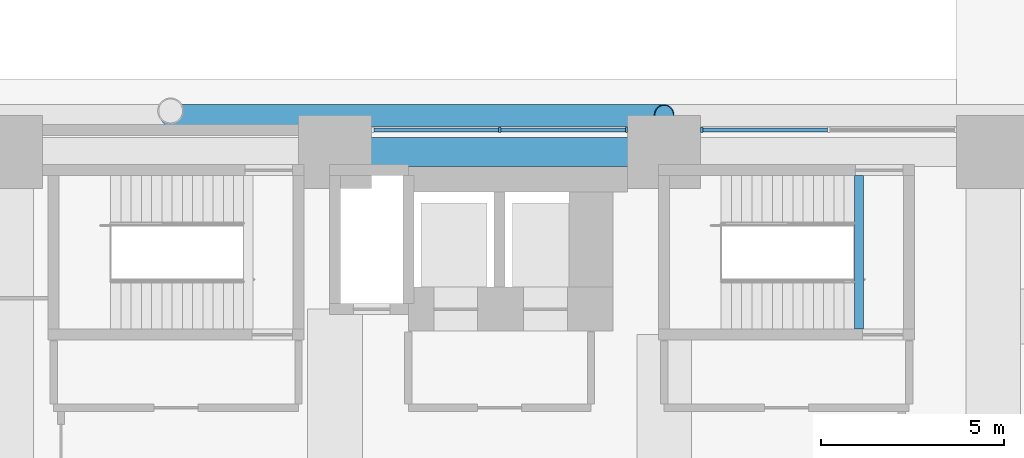
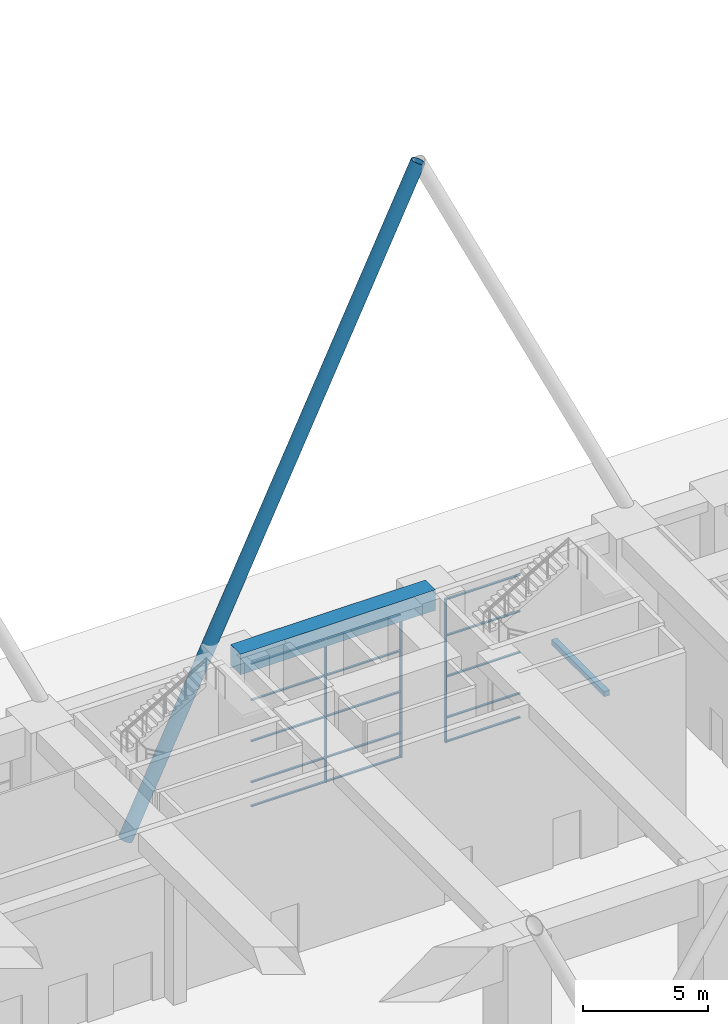
# One storey, part 20 of 44: 19 members, 2 beams, 2 elements without a shape of their own.
"""IFC4 building model written with IfcOpenShell, lengths in metres."""

from ifc_helpers import new_model, si_unit, direction, frame, origin, origin_2d, place, context, subcontext, project, spatial, rectangle, hollow_circle, extrude, material, material_profile, profile_set, type_object, element, aggregate, save


model = new_model("IFC4")

# Units and contexts
model_context = context("Model", 3, precision=1e-05, world=origin(), true_north=direction((0.0, 1.0)))
body_context = subcontext(model_context, "Body", "Model", "MODEL_VIEW")
ifc_project = project(units=[si_unit("LENGTHUNIT", "METRE"), si_unit("AREAUNIT", "SQUARE_METRE"), si_unit("VOLUMEUNIT", "CUBIC_METRE"), si_unit("PLANEANGLEUNIT", "RADIAN"), si_unit("MASSUNIT", "GRAM", prefix="KILO")], contexts=[model_context])

# Site, building, storey
site_placement = place(None, origin())
site = spatial("IfcSite", under=ifc_project, at=site_placement, CompositionType="ELEMENT")
building_placement = place(site_placement, origin())
building = spatial("IfcBuilding", under=site, at=building_placement, Name="Firuza Court", CompositionType="ELEMENT")
storey_placement = place(building_placement, origin())
storey = spatial("IfcBuildingStorey", under=building, at=storey_placement, Name="L00", CompositionType="ELEMENT", Elevation=0.0)

# Member
ifc_material_1 = material(Name="Steel S355", Category="steel")
ifc_material_profile_1 = material_profile(ifc_material_1, hollow_circle(Radius=0.304931640625, WallThickness=0.02490234375, at=origin_2d()), Name="CHS 610x25")
ifc_profile_set_1 = profile_set([ifc_material_profile_1], Name="Steel S355")
member_type_1 = type_object("IfcMemberType", Name="Diagrid diagonal CHS 610x25 S355", PredefinedType="USERDEFINED", material=ifc_profile_set_1)
member_1_placement = place(storey_placement, frame((40.5, 59.4951171875, 0.130859375), z_axis=(0.430315969648, 0.0, 0.902678329343), x_axis=(0.0, 1.0, 0.0)))
element("IfcMember", 1, at=member_1_placement, inside=storey, type_object=member_type_1, Name="Diagrid diagonal L00 to L05", ObjectType="DIAGRID", PredefinedType="USERDEFINED", context=body_context, shape_type="SweptSolid", body=[
    extrude(hollow_circle(Radius=0.304931640625, WallThickness=0.02490234375, at=origin_2d()), origin(), (0.0, 0.0, 1.0), 31.372314453125),
])

# Beam
ifc_material_2 = material(Name="Concrete C40/50", Category="concrete")
ifc_material_profile_2 = material_profile(ifc_material_2, rectangle(XDim=0.25, YDim=0.25, at=origin_2d()), Name="RC 250x250")
ifc_profile_set_2 = profile_set([ifc_material_profile_2], Name="Concrete C40/50")
beam_type_1 = type_object("IfcBeamType", Name="Landing beam RC 250x250 C40/50", PredefinedType="BEAM", material=ifc_profile_set_2)
beam_1_placement = place(storey_placement, frame((59.324951171875, 53.64990234375, 4.175048828125), z_axis=(0.0, 1.0, 0.0), x_axis=(-1.0, 0.0, 0.0)))
element("IfcBeam", 2, at=beam_1_placement, inside=storey, type_object=beam_type_1, Name="Landing beam S4 L00", PredefinedType="BEAM", context=body_context, shape_type="SweptSolid", body=[
    extrude(rectangle(XDim=0.25, YDim=0.25, at=origin_2d()), origin(), (0.0, 0.0, 1.0), 4.2001953125),
])

# Curtain wall, member
ifc_material_3 = material(Name="Aluminium curtain wall, triple clear glazing", Category="aluminium")
curtain_wall_type = type_object("IfcCurtainWallType", Name="Ground lobby stick shopfront CW2", PredefinedType="NOTDEFINED", material=ifc_material_3)
curtain_wall_1_placement = place(storey_placement, origin())
curtain_wall_1 = element("IfcCurtainWall", 3, at=curtain_wall_1_placement, inside=storey, type_object=curtain_wall_type, Name="Ground lobby stick shopfront CW2 L00", PredefinedType="NOTDEFINED")
ifc_material_4 = material(Name="Aluminium EN AW-6060 T66", Category="aluminium")
ifc_material_profile_3 = material_profile(ifc_material_4, rectangle(XDim=0.14990234375, YDim=0.06005859375, at=origin_2d()), Name="Mullion 150 x 60 CW2")
ifc_profile_set_3 = profile_set([ifc_material_profile_3], Name="Aluminium EN AW-6060 T66")
member_type_2 = type_object("IfcMemberType", Name="Mullion 150 x 60 CW2", PredefinedType="MULLION", material=ifc_profile_set_3)
member_2_placement = place(storey_placement, frame((55.030029296875, 59.10009765625, 0.0), z_axis=(0.0, 0.0, 1.0), x_axis=(0.0, -1.0, 0.0)))
member_2 = element("IfcMember", 4, at=member_2_placement, type_object=member_type_2, Name="CW2 mullion 3", PredefinedType="MULLION", context=body_context, shape_type="SweptSolid", body=[
    extrude(rectangle(XDim=0.14990234375, YDim=0.06005859375, at=origin_2d()), origin(), (0.0, 0.0, 1.0), 7.0),
])

# Curtain wall, members
curtain_wall_2_placement = place(storey_placement, origin())
curtain_wall_2 = element("IfcCurtainWall", 5, at=curtain_wall_2_placement, inside=storey, type_object=curtain_wall_type, Name="Ground lobby stick shopfront CW2 L00", PredefinedType="NOTDEFINED")
member_3_placement = place(storey_placement, frame((52.969970703125, 59.10009765625, 0.0), z_axis=(0.0, 0.0, 1.0), x_axis=(0.0, -1.0, 0.0)))
member_3 = element("IfcMember", 6, at=member_3_placement, type_object=member_type_2, Name="CW2 mullion 1", PredefinedType="MULLION", context=body_context, shape_type="SweptSolid", body=[
    extrude(rectangle(XDim=0.14990234375, YDim=0.06005859375, at=origin_2d()), origin(), (0.0, 0.0, 1.0), 7.0),
])
member_4_placement = place(storey_placement, frame((49.5, 59.10009765625, 0.0), z_axis=(0.0, 0.0, 1.0), x_axis=(0.0, -1.0, 0.0)))
member_4 = element("IfcMember", 7, at=member_4_placement, type_object=member_type_2, Name="CW2 mullion 2", PredefinedType="MULLION", context=body_context, shape_type="SweptSolid", body=[
    extrude(rectangle(XDim=0.14990234375, YDim=0.06005859375, at=origin_2d()), origin(), (0.0, 0.0, 1.0), 7.0),
])

# Beam
ifc_material_5 = material(Name="Concrete C60/75", Category="concrete")
ifc_material_profile_4 = material_profile(ifc_material_5, rectangle(XDim=0.800048828125, YDim=1.0, at=origin_2d()), Name="RC 800x1000")
ifc_profile_set_4 = profile_set([ifc_material_profile_4], Name="Concrete C60/75")
beam_type_2 = type_object("IfcBeamType", Name="Transfer girder RC 800x1000 C60/75", PredefinedType="USERDEFINED", material=ifc_profile_set_4)
beam_2_placement = place(storey_placement, frame((54.0, 58.5, 7.89990234375), z_axis=(-1.0, 0.0, 0.0), x_axis=(0.0, -1.0, 0.0)))
element("IfcBeam", 8, at=beam_2_placement, inside=storey, type_object=beam_type_2, Name="Transfer girder TG2 level L01", ObjectType="TRANSFER GIRDER", PredefinedType="USERDEFINED", context=body_context, shape_type="SweptSolid", body=[
    extrude(rectangle(XDim=0.800048828125, YDim=1.0, at=origin_2d()), origin(), (0.0, 0.0, 1.0), 9.0),
])

# Member
ifc_material_6 = material(Name="Aluminium EN AW-6060 T66", Category="aluminium")
ifc_material_profile_5 = material_profile(ifc_material_6, rectangle(XDim=0.10009765625, YDim=0.06005859375, at=origin_2d()), Name="Transom 100 x 60 CW2")
ifc_profile_set_5 = profile_set([ifc_material_profile_5], Name="Aluminium EN AW-6060 T66")
member_type_3 = type_object("IfcMemberType", Name="Transom 100 x 60 CW2", PredefinedType="USERDEFINED", material=ifc_profile_set_5)
member_5_placement = place(storey_placement, frame((58.469970703125, 59.10009765625, 0.030029296875), z_axis=(-1.0, 0.0, 0.0), x_axis=(0.0, -1.0, 0.0)))
member_5 = element("IfcMember", 9, at=member_5_placement, type_object=member_type_3, Name="CW2 transom 2.1", ObjectType="TRANSOM", PredefinedType="USERDEFINED", context=body_context, shape_type="SweptSolid", body=[
    extrude(rectangle(XDim=0.10009765625, YDim=0.06005859375, at=origin_2d()), origin(), (0.0, 0.0, 1.0), 3.409912109375),
])

member_6_placement = place(storey_placement, frame((58.469970703125, 59.10009765625, 1.199951171875), z_axis=(-1.0, 0.0, 0.0), x_axis=(0.0, -1.0, 0.0)))
member_6 = element("IfcMember", 10, at=member_6_placement, type_object=member_type_3, Name="CW2 transom 2.2", ObjectType="TRANSOM", PredefinedType="USERDEFINED", context=body_context, shape_type="SweptSolid", body=[
    extrude(rectangle(XDim=0.10009765625, YDim=0.06005859375, at=origin_2d()), origin(), (0.0, 0.0, 1.0), 3.409912109375),
])

member_7_placement = place(storey_placement, frame((58.469970703125, 59.10009765625, 3.199951171875), z_axis=(-1.0, 0.0, 0.0), x_axis=(0.0, -1.0, 0.0)))
member_7 = element("IfcMember", 11, at=member_7_placement, type_object=member_type_3, Name="CW2 transom 2.3", ObjectType="TRANSOM", PredefinedType="USERDEFINED", context=body_context, shape_type="SweptSolid", body=[
    extrude(rectangle(XDim=0.10009765625, YDim=0.06005859375, at=origin_2d()), origin(), (0.0, 0.0, 1.0), 3.409912109375),
])

member_8_placement = place(storey_placement, frame((58.469970703125, 59.10009765625, 5.199951171875), z_axis=(-1.0, 0.0, 0.0), x_axis=(0.0, -1.0, 0.0)))
member_8 = element("IfcMember", 12, at=member_8_placement, type_object=member_type_3, Name="CW2 transom 2.4", ObjectType="TRANSOM", PredefinedType="USERDEFINED", context=body_context, shape_type="SweptSolid", body=[
    extrude(rectangle(XDim=0.10009765625, YDim=0.06005859375, at=origin_2d()), origin(), (0.0, 0.0, 1.0), 3.409912109375),
])

member_9_placement = place(storey_placement, frame((58.469970703125, 59.10009765625, 6.969970703125), z_axis=(-1.0, 0.0, 0.0), x_axis=(0.0, -1.0, 0.0)))
member_9 = element("IfcMember", 13, at=member_9_placement, type_object=member_type_3, Name="CW2 transom 2.5", ObjectType="TRANSOM", PredefinedType="USERDEFINED", context=body_context, shape_type="SweptSolid", body=[
    extrude(rectangle(XDim=0.10009765625, YDim=0.06005859375, at=origin_2d()), origin(), (0.0, 0.0, 1.0), 3.409912109375),
])

aggregate(curtain_wall_1, [member_2, member_5, member_6, member_7, member_8, member_9])

member_10_placement = place(storey_placement, frame((52.93994140625, 59.10009765625, 0.030029296875), z_axis=(-1.0, 0.0, 0.0), x_axis=(0.0, -1.0, 0.0)))
member_10 = element("IfcMember", 14, at=member_10_placement, type_object=member_type_3, Name="CW2 transom 1.1", ObjectType="TRANSOM", PredefinedType="USERDEFINED", context=body_context, shape_type="SweptSolid", body=[
    extrude(rectangle(XDim=0.10009765625, YDim=0.06005859375, at=origin_2d()), origin(), (0.0, 0.0, 1.0), 3.409912109375),
])

member_11_placement = place(storey_placement, frame((52.93994140625, 59.10009765625, 1.199951171875), z_axis=(-1.0, 0.0, 0.0), x_axis=(0.0, -1.0, 0.0)))
member_11 = element("IfcMember", 15, at=member_11_placement, type_object=member_type_3, Name="CW2 transom 1.2", ObjectType="TRANSOM", PredefinedType="USERDEFINED", context=body_context, shape_type="SweptSolid", body=[
    extrude(rectangle(XDim=0.10009765625, YDim=0.06005859375, at=origin_2d()), origin(), (0.0, 0.0, 1.0), 3.409912109375),
])

member_12_placement = place(storey_placement, frame((52.93994140625, 59.10009765625, 3.199951171875), z_axis=(-1.0, 0.0, 0.0), x_axis=(0.0, -1.0, 0.0)))
member_12 = element("IfcMember", 16, at=member_12_placement, type_object=member_type_3, Name="CW2 transom 1.3", ObjectType="TRANSOM", PredefinedType="USERDEFINED", context=body_context, shape_type="SweptSolid", body=[
    extrude(rectangle(XDim=0.10009765625, YDim=0.06005859375, at=origin_2d()), origin(), (0.0, 0.0, 1.0), 3.409912109375),
])

member_13_placement = place(storey_placement, frame((52.93994140625, 59.10009765625, 5.199951171875), z_axis=(-1.0, 0.0, 0.0), x_axis=(0.0, -1.0, 0.0)))
member_13 = element("IfcMember", 17, at=member_13_placement, type_object=member_type_3, Name="CW2 transom 1.4", ObjectType="TRANSOM", PredefinedType="USERDEFINED", context=body_context, shape_type="SweptSolid", body=[
    extrude(rectangle(XDim=0.10009765625, YDim=0.06005859375, at=origin_2d()), origin(), (0.0, 0.0, 1.0), 3.409912109375),
])

member_14_placement = place(storey_placement, frame((52.93994140625, 59.10009765625, 6.969970703125), z_axis=(-1.0, 0.0, 0.0), x_axis=(0.0, -1.0, 0.0)))
member_14 = element("IfcMember", 18, at=member_14_placement, type_object=member_type_3, Name="CW2 transom 1.5", ObjectType="TRANSOM", PredefinedType="USERDEFINED", context=body_context, shape_type="SweptSolid", body=[
    extrude(rectangle(XDim=0.10009765625, YDim=0.06005859375, at=origin_2d()), origin(), (0.0, 0.0, 1.0), 3.409912109375),
])

member_15_placement = place(storey_placement, frame((49.469970703125, 59.10009765625, 0.030029296875), z_axis=(-1.0, 0.0, 0.0), x_axis=(0.0, -1.0, 0.0)))
member_15 = element("IfcMember", 19, at=member_15_placement, type_object=member_type_3, Name="CW2 transom 2.1", ObjectType="TRANSOM", PredefinedType="USERDEFINED", context=body_context, shape_type="SweptSolid", body=[
    extrude(rectangle(XDim=0.10009765625, YDim=0.06005859375, at=origin_2d()), origin(), (0.0, 0.0, 1.0), 3.409912109375),
])

member_16_placement = place(storey_placement, frame((49.469970703125, 59.10009765625, 1.199951171875), z_axis=(-1.0, 0.0, 0.0), x_axis=(0.0, -1.0, 0.0)))
member_16 = element("IfcMember", 20, at=member_16_placement, type_object=member_type_3, Name="CW2 transom 2.2", ObjectType="TRANSOM", PredefinedType="USERDEFINED", context=body_context, shape_type="SweptSolid", body=[
    extrude(rectangle(XDim=0.10009765625, YDim=0.06005859375, at=origin_2d()), origin(), (0.0, 0.0, 1.0), 3.409912109375),
])

member_17_placement = place(storey_placement, frame((49.469970703125, 59.10009765625, 3.199951171875), z_axis=(-1.0, 0.0, 0.0), x_axis=(0.0, -1.0, 0.0)))
member_17 = element("IfcMember", 21, at=member_17_placement, type_object=member_type_3, Name="CW2 transom 2.3", ObjectType="TRANSOM", PredefinedType="USERDEFINED", context=body_context, shape_type="SweptSolid", body=[
    extrude(rectangle(XDim=0.10009765625, YDim=0.06005859375, at=origin_2d()), origin(), (0.0, 0.0, 1.0), 3.409912109375),
])

member_18_placement = place(storey_placement, frame((49.469970703125, 59.10009765625, 5.199951171875), z_axis=(-1.0, 0.0, 0.0), x_axis=(0.0, -1.0, 0.0)))
member_18 = element("IfcMember", 22, at=member_18_placement, type_object=member_type_3, Name="CW2 transom 2.4", ObjectType="TRANSOM", PredefinedType="USERDEFINED", context=body_context, shape_type="SweptSolid", body=[
    extrude(rectangle(XDim=0.10009765625, YDim=0.06005859375, at=origin_2d()), origin(), (0.0, 0.0, 1.0), 3.409912109375),
])

member_19_placement = place(storey_placement, frame((49.469970703125, 59.10009765625, 6.969970703125), z_axis=(-1.0, 0.0, 0.0), x_axis=(0.0, -1.0, 0.0)))
member_19 = element("IfcMember", 23, at=member_19_placement, type_object=member_type_3, Name="CW2 transom 2.5", ObjectType="TRANSOM", PredefinedType="USERDEFINED", context=body_context, shape_type="SweptSolid", body=[
    extrude(rectangle(XDim=0.10009765625, YDim=0.06005859375, at=origin_2d()), origin(), (0.0, 0.0, 1.0), 3.409912109375),
])

aggregate(curtain_wall_2, [member_3, member_4, member_10, member_11, member_12, member_13, member_14, member_15, member_16, member_17, member_18, member_19])

save(model, "model.ifc")
